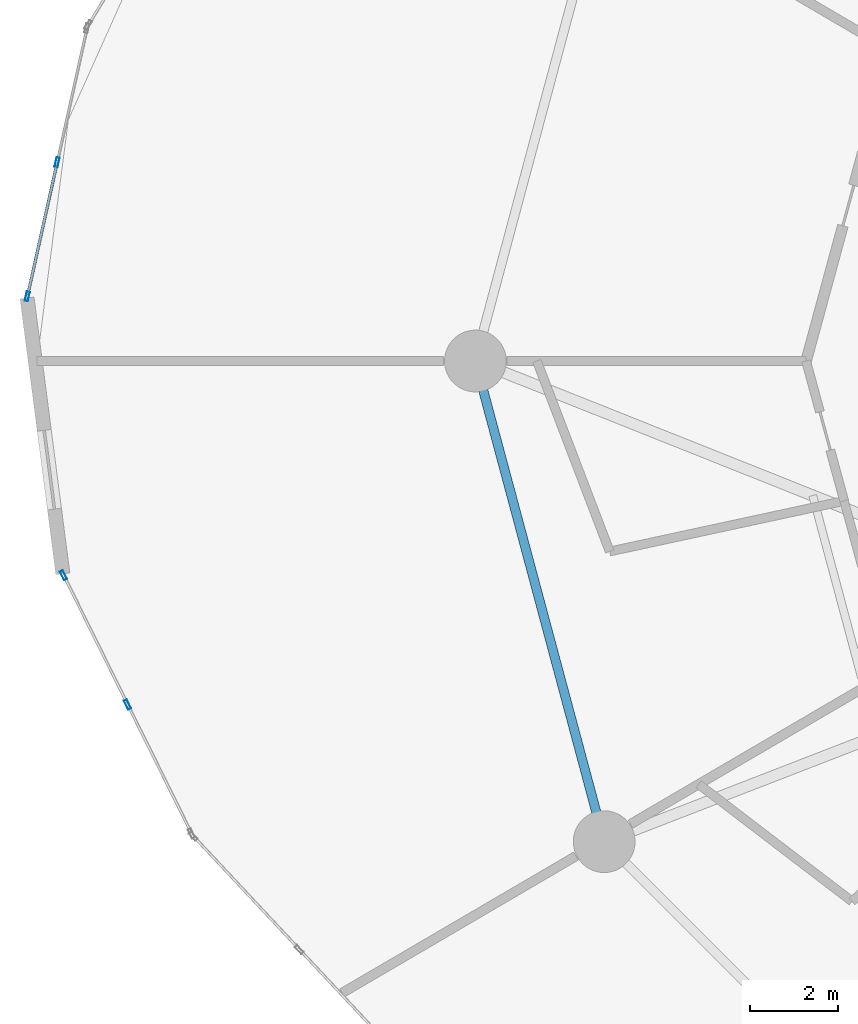
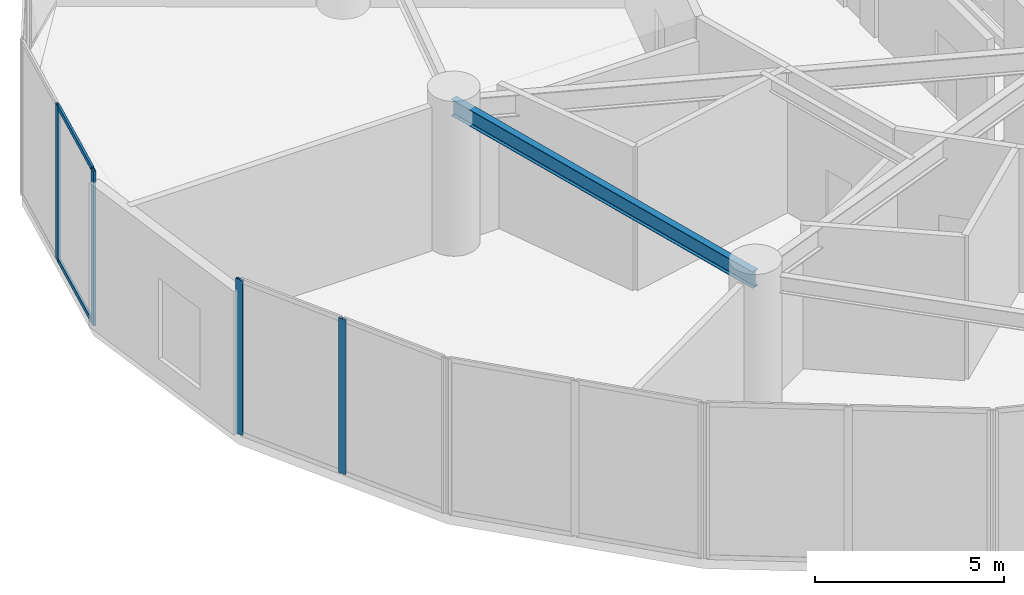
# One storey, part 7 of 31: 6 members, 1 beam, 2 elements without a shape of their own.
"""IFC4 building model written with IfcOpenShell, lengths in metres."""

from ifc_helpers import new_model, si_unit, direction, frame, origin, origin_2d, place, context, subcontext, project, spatial, hollow_rectangle, i_section, extrude, source, transform, mapped, material, layer, layer_set, material_profile, profile_set, type_object, element, aggregate, save


model = new_model("IFC4")

# Units and contexts
model_context = context("Model", 3, precision=1e-05, world=origin(), true_north=direction((0.0, 1.0)))
body_context = subcontext(model_context, "Body", "Model", "MODEL_VIEW")
ifc_project = project(units=[si_unit("LENGTHUNIT", "METRE"), si_unit("AREAUNIT", "SQUARE_METRE"), si_unit("VOLUMEUNIT", "CUBIC_METRE"), si_unit("PLANEANGLEUNIT", "RADIAN"), si_unit("MASSUNIT", "GRAM", prefix="KILO")], contexts=[model_context])

# Site, building, storey
site_placement = place(None, origin())
site = spatial("IfcSite", under=ifc_project, at=site_placement, CompositionType="ELEMENT")
building_placement = place(site_placement, origin())
building = spatial("IfcBuilding", under=site, at=building_placement, Name="Solvirekh Grand Hotel", CompositionType="ELEMENT")
storey_placement = place(building_placement, frame((0.0, 0.0, 18.60009765625)))
storey = spatial("IfcBuildingStorey", under=building, at=storey_placement, Name="L03", CompositionType="ELEMENT", Elevation=18.60009765625)

# Beam
ifc_material_1 = material(Name="Steel S355", Category="steel")
ifc_material_profile_1 = material_profile(ifc_material_1, i_section(OverallWidth=0.208984375, OverallDepth=0.532958984375, WebThickness=0.010009765625, FlangeThickness=0.014892578125, FilletRadius=0.013916015625, at=origin_2d()), Name="W530X92")
ifc_profile_set_1 = profile_set([ifc_material_profile_1], Name="Steel S355")
beam_type = type_object("IfcBeamType", Name="Spandrel_Ring_W530", PredefinedType="SPANDREL", material=ifc_profile_set_1)
beam_placement = place(storey_placement, frame((-21.800048828125, 0.0, 4.372802734375), z_axis=(0.258862249378, -0.965914248703, 0.0), x_axis=(0.965914248703, 0.258862249378, 0.0)))
element("IfcBeam", 1, at=beam_placement, inside=storey, type_object=beam_type, Name="L03 perimeter spandrel beam 7", PredefinedType="SPANDREL", context=body_context, shape_type="SweptSolid", body=[
    extrude(i_section(OverallWidth=0.208984375, OverallDepth=0.532958984375, WebThickness=0.010009765625, FlangeThickness=0.014892578125, FilletRadius=0.013916015625, at=origin_2d()), origin(), (0.0, 0.0, 1.0), 11.284423828125),
])

# Curtain wall, members
ifc_material_2 = material(Name="Anodized Bronze Aluminium 6063-T6", Category="aluminium")
ifc_layer = layer(ifc_material_2, 0.219970703125)
ifc_layer_set = layer_set([ifc_layer], Name="Anodized Bronze Aluminium 6063-T6")
curtain_wall_type = type_object("IfcCurtainWallType", Name="CW_Sys1_PodiumBronzeUnitised", PredefinedType="NOTDEFINED", material=ifc_layer_set)
curtain_wall_1_placement = place(storey_placement, origin())
curtain_wall_1 = element("IfcCurtainWall", 2, at=curtain_wall_1_placement, inside=storey, type_object=curtain_wall_type, Name="L03 unitised bronze-glass curtain wall CW-L03-C12", PredefinedType="NOTDEFINED")
ifc_material_profile_2 = material_profile(ifc_material_2, hollow_rectangle(XDim=0.06494140625, YDim=0.14990234375, WallThickness=0.0048828125, at=origin_2d()), Name="ALU RHS 150X65X5")
ifc_profile_set_2 = profile_set([ifc_material_profile_2], Name="Anodized Bronze Aluminium 6063-T6")
member_type_1 = type_object("IfcMemberType", Name="CWTransom_Sys1", PredefinedType="USERDEFINED", material=ifc_profile_set_2)
shared_shape_1 = source(origin(), body_context, "Body", "SweptSolid", [
    extrude(hollow_rectangle(XDim=0.06494140625, YDim=0.14990234375, WallThickness=0.0048828125, at=origin_2d()), origin(), (0.0, 0.0, 1.0), 3.041015625),
])
member_1_placement = place(storey_placement, frame((-31.292724609375, 4.470947265625, 0.032470703125), z_axis=(-0.216683934732, -0.976241810429, 0.0), x_axis=(0.976241810429, -0.216683934732, 0.0)))
member_1 = element("IfcMember", 3, at=member_1_placement, type_object=member_type_1, Name="U01 transom 2.1", ObjectType="TRANSOM", PredefinedType="USERDEFINED", context=body_context, shape_type="MappedRepresentation", body=[
    mapped(shared_shape_1, transform((0.0, 0.0, 0.0), x_axis=(1.0, 0.0, 0.0), y_axis=(0.0, 1.0, 0.0), z_axis=(0.0, 0.0, 1.0), scale=1.0)),
])
member_2_placement = place(storey_placement, frame((-31.292724609375, 4.470947265625, 4.96728515625), z_axis=(-0.216683934732, -0.976241810429, 0.0), x_axis=(0.976241810429, -0.216683934732, 0.0)))
member_2 = element("IfcMember", 4, at=member_2_placement, type_object=member_type_1, Name="U01 transom 2.2", ObjectType="TRANSOM", PredefinedType="USERDEFINED", context=body_context, shape_type="MappedRepresentation", body=[
    mapped(shared_shape_1, transform((0.0, 0.0, 0.0), x_axis=(1.0, 0.0, 0.0), y_axis=(0.0, 1.0, 0.0), z_axis=(0.0, 0.0, 1.0), scale=1.0)),
])
ifc_material_profile_3 = material_profile(ifc_material_2, hollow_rectangle(XDim=0.074951171875, YDim=0.219970703125, WallThickness=0.006103515625, at=origin_2d()), Name="ALU RHS 220X75X6")
ifc_profile_set_3 = profile_set([ifc_material_profile_3], Name="Anodized Bronze Aluminium 6063-T6")
member_type_2 = type_object("IfcMemberType", Name="CWMullion_Sys1", PredefinedType="MULLION", material=ifc_profile_set_3)
shared_shape_2 = source(origin(), body_context, "Body", "SweptSolid", [
    extrude(hollow_rectangle(XDim=0.074951171875, YDim=0.219970703125, WallThickness=0.006103515625, at=origin_2d()), origin(), (0.0, 0.0, 1.0), 5.0),
])
member_3_placement = place(storey_placement, frame((-31.284423828125, 4.507568359375, 0.0), z_axis=(0.0, 0.0, 1.0), x_axis=(0.976228080687, -0.216745783068, 0.0)))
member_3 = element("IfcMember", 5, at=member_3_placement, type_object=member_type_2, Name="U01 mullion 2", PredefinedType="MULLION", context=body_context, shape_type="MappedRepresentation", body=[
    mapped(shared_shape_2, transform((0.0, 0.0, 0.0), x_axis=(1.0, 0.0, 0.0), y_axis=(0.0, 1.0, 0.0), z_axis=(0.0, 0.0, 1.0), scale=1.0)),
])
member_4_placement = place(storey_placement, frame((-31.9599609375, 1.465576171875, 0.0), z_axis=(0.0, 0.0, 1.0), x_axis=(0.976228080687, -0.216745783068, 0.0)))
member_4 = element("IfcMember", 6, at=member_4_placement, type_object=member_type_2, Name="U01 mullion 3", PredefinedType="MULLION", context=body_context, shape_type="MappedRepresentation", body=[
    mapped(shared_shape_2, transform((0.0, 0.0, 0.0), x_axis=(1.0, 0.0, 0.0), y_axis=(0.0, 1.0, 0.0), z_axis=(0.0, 0.0, 1.0), scale=1.0)),
])
aggregate(curtain_wall_1, [member_3, member_4, member_1, member_2])

curtain_wall_2_placement = place(storey_placement, origin())
curtain_wall_2 = element("IfcCurtainWall", 7, at=curtain_wall_2_placement, inside=storey, type_object=curtain_wall_type, Name="L03 unitised bronze-glass curtain wall CW-L03-C14", PredefinedType="NOTDEFINED")
member_5_placement = place(storey_placement, frame((-31.139404296875, -4.858642578125, 0.0), z_axis=(0.0, 0.0, 1.0), x_axis=(0.896084619407, 0.443883267157, 0.0)))
member_5 = element("IfcMember", 8, at=member_5_placement, type_object=member_type_2, Name="U01 mullion 1", PredefinedType="MULLION", context=body_context, shape_type="MappedRepresentation", body=[
    mapped(shared_shape_2, transform((0.0, 0.0, 0.0), x_axis=(1.0, 0.0, 0.0), y_axis=(0.0, 1.0, 0.0), z_axis=(0.0, 0.0, 1.0), scale=1.0)),
])
member_6_placement = place(storey_placement, frame((-29.6884765625, -7.78759765625, 0.0), z_axis=(0.0, 0.0, 1.0), x_axis=(0.896084619407, 0.443883267157, 0.0)))
member_6 = element("IfcMember", 9, at=member_6_placement, type_object=member_type_2, Name="U01 mullion 2", PredefinedType="MULLION", context=body_context, shape_type="MappedRepresentation", body=[
    mapped(shared_shape_2, transform((0.0, 0.0, 0.0), x_axis=(1.0, 0.0, 0.0), y_axis=(0.0, 1.0, 0.0), z_axis=(0.0, 0.0, 1.0), scale=1.0)),
])
aggregate(curtain_wall_2, [member_5, member_6])

save(model, "model.ifc")
